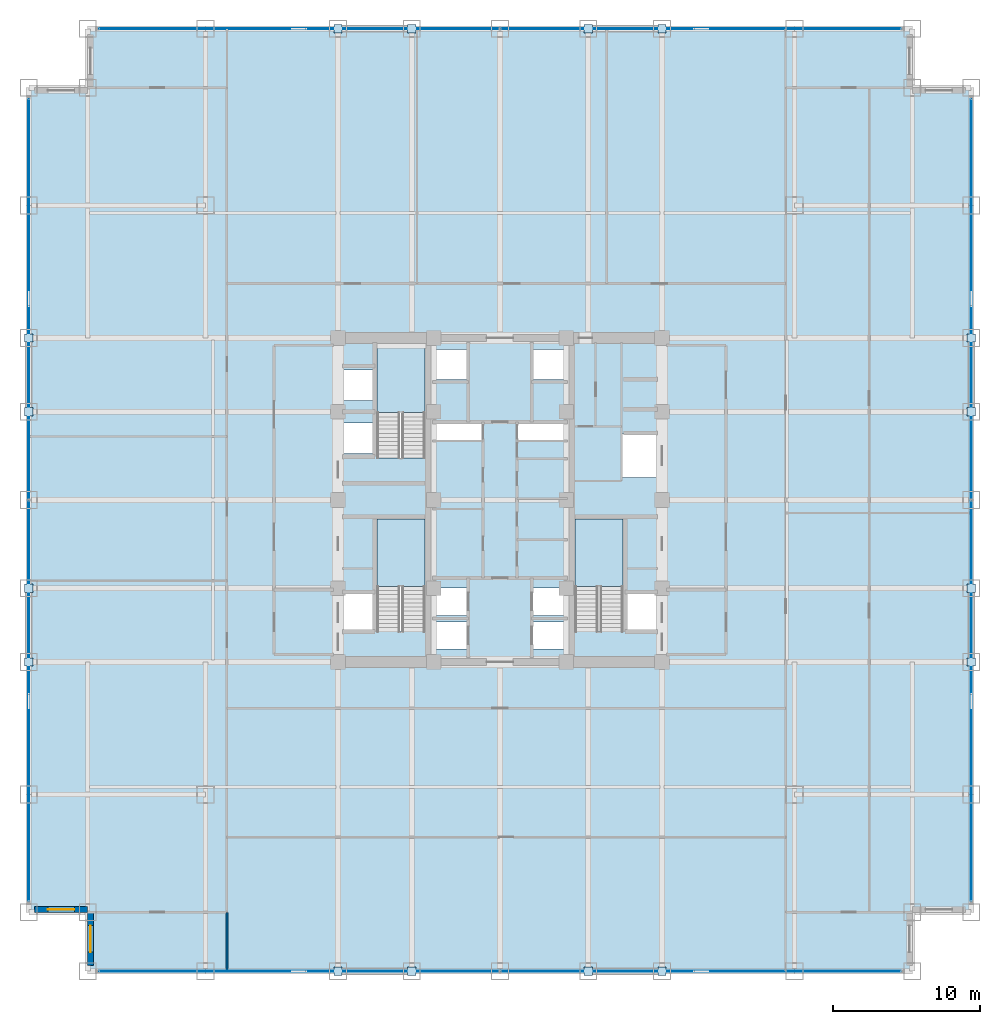
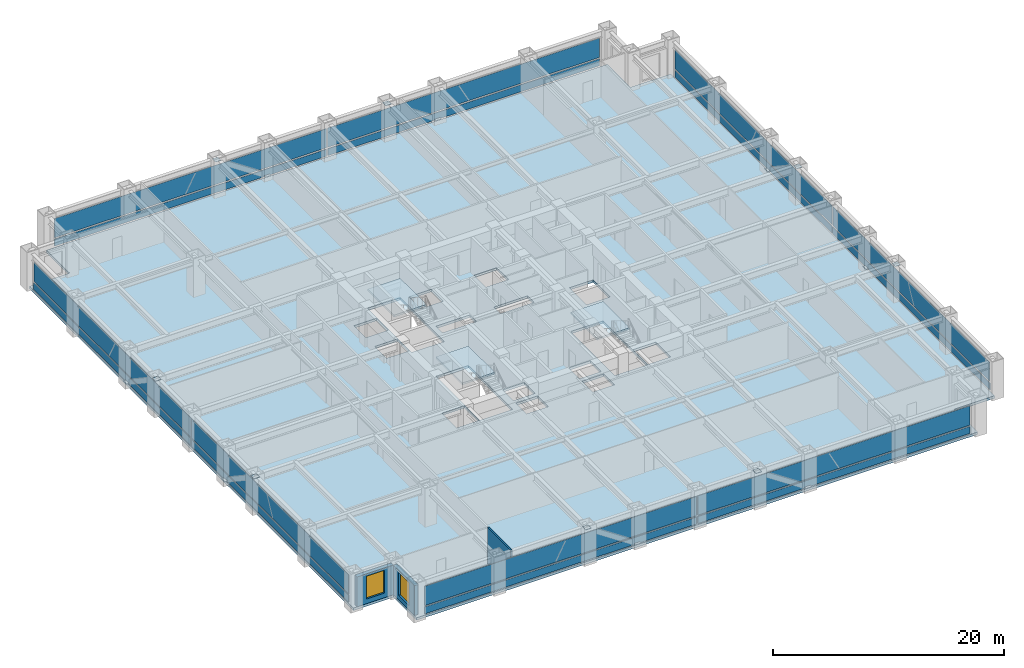
# One storey, part 22 of 28: 32 plates, 4 slabs, 3 walls, 2 windows, 2 openings, 7 elements without a shape of their own.
"""IFC4 building model written with IfcOpenShell, lengths in metres."""

from ifc_helpers import new_model, si_unit, direction, frame, frame_2d, origin, origin_2d, place, context, subcontext, project, spatial, polyline, rectangle, outline, extrude, source, transform, mapped, material, layer, layer_set, type_object, element, fill, aggregate, save


model = new_model("IFC4")

# Units and contexts
model_context = context("Model", 3, precision=1e-05, world=origin(), true_north=direction((0.0, 1.0)))
body_context = subcontext(model_context, "Body", "Model", "MODEL_VIEW")
ifc_project = project(units=[si_unit("LENGTHUNIT", "METRE"), si_unit("AREAUNIT", "SQUARE_METRE"), si_unit("VOLUMEUNIT", "CUBIC_METRE"), si_unit("PLANEANGLEUNIT", "RADIAN"), si_unit("MASSUNIT", "GRAM", prefix="KILO")], contexts=[model_context])

# Site, building, storey
site_placement = place(None, origin())
site = spatial("IfcSite", under=ifc_project, at=site_placement, CompositionType="ELEMENT")
building_placement = place(site_placement, origin())
building = spatial("IfcBuilding", under=site, at=building_placement, Name="Khorayat Bourse Tower", CompositionType="ELEMENT")
storey_placement = place(building_placement, frame((0.0, 0.0, 120.10009765625)))
storey = spatial("IfcBuildingStorey", under=building, at=storey_placement, Name="L27", CompositionType="ELEMENT", Elevation=120.10009765625)

# Stair, slab
ifc_material_1 = material(Name="Concrete C40/50", Category="concrete")
stair_type = type_object("IfcStairType", Name="STR-CORE-1550", PredefinedType="HALF_TURN_STAIR", material=ifc_material_1)
stair_1_placement = place(storey_placement, origin())
stair_1 = element("IfcStair", 1, at=stair_1_placement, inside=storey, type_object=stair_type, Name="L27 Exit Stair ST-1", PredefinedType="HALF_TURN_STAIR")
ifc_layer_1 = layer(ifc_material_1, 0.199951171875)
ifc_layer_set_1 = layer_set([ifc_layer_1], Name="Concrete C40/50")
slab_type_1 = type_object("IfcSlabType", Name="SLB-LANDING-200", PredefinedType="LANDING", material=ifc_layer_set_1)
slab_1_placement = place(storey_placement, frame((0.0, 0.0, 1.849853515625)))
slab_1 = element("IfcSlab", 2, at=slab_1_placement, type_object=slab_type_1, Name="ST-1 landing 1", PredefinedType="LANDING", context=body_context, shape_type="SweptSolid", body=[
    extrude(outline(polyline([(-5.10009765625, -5.8701171875), (-5.10009765625, -1.300048828125), (-8.35009765625, -1.300048828125), (-8.35009765625, -5.8701171875), (-5.10009765625, -5.8701171875)])), origin(), (0.0, 0.0, 1.0), 0.199951171875),
])
aggregate(stair_1, [slab_1])

stair_2_placement = place(storey_placement, origin())
stair_2 = element("IfcStair", 3, at=stair_2_placement, inside=storey, type_object=stair_type, Name="L27 Exit Stair ST-2", PredefinedType="HALF_TURN_STAIR")
slab_2_placement = place(storey_placement, frame((0.0, 0.0, 1.849853515625)))
slab_2 = element("IfcSlab", 4, at=slab_2_placement, type_object=slab_type_1, Name="ST-2 landing 1", PredefinedType="LANDING", context=body_context, shape_type="SweptSolid", body=[
    extrude(outline(polyline([(-5.10009765625, 5.929931640625), (-5.10009765625, 10.5), (-8.35009765625, 10.5), (-8.35009765625, 5.929931640625), (-5.10009765625, 5.929931640625)])), origin(), (0.0, 0.0, 1.0), 0.199951171875),
])
aggregate(stair_2, [slab_2])

stair_3_placement = place(storey_placement, origin())
stair_3 = element("IfcStair", 5, at=stair_3_placement, inside=storey, type_object=stair_type, Name="L27 Exit Stair ST-3", PredefinedType="HALF_TURN_STAIR")
slab_3_placement = place(storey_placement, frame((0.0, 0.0, 1.849853515625)))
slab_3 = element("IfcSlab", 6, at=slab_3_placement, type_object=slab_type_1, Name="ST-3 landing 1", PredefinedType="LANDING", context=body_context, shape_type="SweptSolid", body=[
    extrude(outline(polyline([(8.35009765625, -5.8701171875), (8.35009765625, -1.300048828125), (5.10009765625, -1.300048828125), (5.10009765625, -5.8701171875), (8.35009765625, -5.8701171875)])), origin(), (0.0, 0.0, 1.0), 0.199951171875),
])
aggregate(stair_3, [slab_3])

# Slab
ifc_layer_2 = layer(ifc_material_1, 0.260009765625)
ifc_layer_set_2 = layer_set([ifc_layer_2], Name="Concrete C40/50")
slab_type_2 = type_object("IfcSlabType", Name="SLB-TRADE-260", PredefinedType="FLOOR", material=ifc_layer_set_2)
slab_4_placement = place(storey_placement, frame((0.0, 0.0, -0.260009765625)))
element("IfcSlab", 7, at=slab_4_placement, inside=storey, type_object=slab_type_2, Name="L27 Main Floor Slab", PredefinedType="FLOOR", context=body_context, shape_type="SweptSolid", body=[
    extrude(outline(polyline([(-28.0, -32.0), (28.0, -32.0), (28.0, -28.0), (32.0, -28.0), (32.0, 28.0), (28.0, 28.0), (28.0, 32.0), (-28.0, 32.0), (-28.0, 28.0), (-32.0, 28.0), (-32.0, -28.0), (-28.0, -28.0), (-28.0, -32.0)]), holes=[polyline([(-8.35009765625, -8.945068359375), (-5.10009765625, -8.945068359375), (-5.10009765625, -1.300048828125), (-8.35009765625, -1.300048828125), (-8.35009765625, -8.945068359375)]), polyline([(-8.35009765625, 2.85498046875), (-5.10009765625, 2.85498046875), (-5.10009765625, 10.5), (-8.35009765625, 10.5), (-8.35009765625, 2.85498046875)]), polyline([(5.10009765625, -8.945068359375), (8.35009765625, -8.945068359375), (8.35009765625, -1.300048828125), (5.10009765625, -1.300048828125), (5.10009765625, -8.945068359375)]), polyline([(-4.3798828125, -10.1298828125), (-2.219970703125, -10.1298828125), (-2.219970703125, -8.27001953125), (-4.3798828125, -8.27001953125), (-4.3798828125, -10.1298828125)]), polyline([(2.219970703125, -10.1298828125), (4.3798828125, -10.1298828125), (4.3798828125, -8.27001953125), (2.219970703125, -8.27001953125), (2.219970703125, -10.1298828125)]), polyline([(-4.3798828125, -7.830078125), (-2.219970703125, -7.830078125), (-2.219970703125, -5.969970703125), (-4.3798828125, -5.969970703125), (-4.3798828125, -7.830078125)]), polyline([(2.219970703125, -7.830078125), (4.3798828125, -7.830078125), (4.3798828125, -5.969970703125), (2.219970703125, -5.969970703125), (2.219970703125, -7.830078125)]), polyline([(-4.3798828125, 8.169921875), (-2.1201171875, 8.169921875), (-2.1201171875, 10.22998046875), (-4.3798828125, 10.22998046875), (-4.3798828125, 8.169921875)]), polyline([(2.1201171875, 8.169921875), (4.3798828125, 8.169921875), (4.3798828125, 10.22998046875), (2.1201171875, 10.22998046875), (2.1201171875, 8.169921875)]), polyline([(-10.679931640625, 3.169921875), (-8.419921875, 3.169921875), (-8.419921875, 5.22998046875), (-10.679931640625, 5.22998046875), (-10.679931640625, 3.169921875)]), polyline([(-10.679931640625, 6.77001953125), (-8.419921875, 6.77001953125), (-8.419921875, 8.830078125), (-10.679931640625, 8.830078125), (-10.679931640625, 6.77001953125)]), polyline([(-10.679931640625, -8.929931640625), (-8.419921875, -8.929931640625), (-8.419921875, -6.3701171875), (-10.679931640625, -6.3701171875), (-10.679931640625, -8.929931640625)]), polyline([(8.419921875, -8.929931640625), (10.679931640625, -8.929931640625), (10.679931640625, -6.3701171875), (8.419921875, -6.3701171875), (8.419921875, -8.929931640625)]), polyline([(8.320068359375, 1.52001953125), (10.679931640625, 1.52001953125), (10.679931640625, 4.47998046875), (8.320068359375, 4.47998046875), (8.320068359375, 1.52001953125)]), polyline([(-4.56005859375, 4.080078125), (-1.18994140625, 4.080078125), (-1.18994140625, 5.219970703125), (-4.56005859375, 5.219970703125), (-4.56005859375, 4.080078125)]), polyline([(1.18994140625, 4.080078125), (4.56005859375, 4.080078125), (4.56005859375, 5.219970703125), (1.18994140625, 5.219970703125), (1.18994140625, 4.080078125)])]), origin(), (0.0, 0.0, 1.0), 0.260009765625),
])

# Plates
ifc_material_2 = material(Name="Steel EN 10025-2 S355J2", Category="steel")
ifc_layer_3 = layer(ifc_material_2, 0.02490234375)
ifc_layer_set_3 = layer_set([ifc_layer_3], Name="Steel EN 10025-2 S355J2")
plate_type_1 = type_object("IfcPlateType", Name="PLT-ENDCAP-25", PredefinedType="SHEET", material=ifc_layer_set_3)
shared_shape_1 = source(origin(), body_context, "Body", "SweptSolid", [
    extrude(rectangle(XDim=0.56005859375, YDim=0.56005859375, at=origin_2d()), origin(), (0.0, 0.0, 1.0), 0.02490234375),
])
for number, where, z_axis, x_axis, name in (
    (8, (-11.0, -32.0, 3.577392578125), (0.0, 0.0, 1.0), (1.0, 0.0, 0.0), "L27 Perimeter Brace End Plate 001"),
    (9, (-6.0, -32.0, 0.237548828125), (0.0, 0.0, 1.0), (1.0, 0.0, 0.0), "L27 Perimeter Brace End Plate 002"),
    (10, (6.0, -32.0, 3.577392578125), (0.0, 0.0, 1.0), (1.0, 0.0, 0.0), "L27 Perimeter Brace End Plate 003"),
    (11, (11.0, -32.0, 0.237548828125), (0.0, 0.0, 1.0), (1.0, 0.0, 0.0), "L27 Perimeter Brace End Plate 004"),
    (12, (-11.0, 32.0, 3.577392578125), (0.0, 0.0, 1.0), (1.0, 0.0, 0.0), "L27 Perimeter Brace End Plate 005"),
    (13, (-6.0, 32.0, 0.237548828125), (0.0, 0.0, 1.0), (1.0, 0.0, 0.0), "L27 Perimeter Brace End Plate 006"),
    (14, (6.0, 32.0, 3.577392578125), (0.0, 0.0, 1.0), (1.0, 0.0, 0.0), "L27 Perimeter Brace End Plate 007"),
    (15, (11.0, 32.0, 0.237548828125), (0.0, 0.0, 1.0), (1.0, 0.0, 0.0), "L27 Perimeter Brace End Plate 008"),
    (16, (-32.0, -11.0, 3.577392578125), (0.0, 0.0, 1.0), (1.0, 0.0, 0.0), "L27 Perimeter Brace End Plate 009"),
    (17, (-32.0, -6.0, 0.237548828125), (0.0, 0.0, 1.0), (1.0, 0.0, 0.0), "L27 Perimeter Brace End Plate 010"),
    (18, (-32.0, 6.0, 3.577392578125), (0.0, 0.0, 1.0), (1.0, 0.0, 0.0), "L27 Perimeter Brace End Plate 011"),
    (19, (-32.0, 11.0, 0.237548828125), (0.0, 0.0, 1.0), (1.0, 0.0, 0.0), "L27 Perimeter Brace End Plate 012"),
    (20, (32.0, -11.0, 3.577392578125), (0.0, 0.0, 1.0), (1.0, 0.0, 0.0), "L27 Perimeter Brace End Plate 013"),
    (21, (32.0, -6.0, 0.237548828125), (0.0, 0.0, 1.0), (1.0, 0.0, 0.0), "L27 Perimeter Brace End Plate 014"),
    (22, (32.0, 6.0, 3.577392578125), (0.0, 0.0, 1.0), (1.0, 0.0, 0.0), "L27 Perimeter Brace End Plate 015"),
    (23, (32.0, 11.0, 0.237548828125), (0.0, 0.0, 1.0), (1.0, 0.0, 0.0), "L27 Perimeter Brace End Plate 016"),
):
    element("IfcPlate", number, at=place(storey_placement, frame(where, z_axis=z_axis, x_axis=x_axis)), inside=storey, type_object=plate_type_1, Name=name, PredefinedType="SHEET", context=body_context, shape_type="MappedRepresentation", body=[
        mapped(shared_shape_1, transform((0.0, 0.0, 0.0), scale=1.0)),
    ])

# Curtain wall, plates
ifc_material_3 = material(Name="Aluminium EN AW-6063 T6", Category="aluminium")
curtain_wall_type = type_object("IfcCurtainWallType", Name="CW-SYS-02", PredefinedType="NOTDEFINED", material=ifc_material_3)
curtain_wall_1_placement = place(storey_placement, origin())
curtain_wall_1 = element("IfcCurtainWall", 24, at=curtain_wall_1_placement, inside=storey, type_object=curtain_wall_type, Name="L27 Curtain Wall CW-L27-S1", PredefinedType="NOTDEFINED")
ifc_material_4 = material(Name="Honed desert limestone insulated spandrel", Category="masonry")
ifc_layer_4 = layer(ifc_material_4, 0.06494140625)
ifc_layer_set_4 = layer_set([ifc_layer_4], Name="Honed desert limestone insulated spandrel")
plate_type_2 = type_object("IfcPlateType", Name="CWP-SPAND-03", PredefinedType="CURTAIN_PANEL", material=ifc_layer_set_4)
shared_shape_2 = source(origin(), body_context, "Body", "SweptSolid", [
    extrude(rectangle(XDim=27.139892578125, YDim=0.06494140625, at=origin_2d()), origin(), (0.0, 0.0, 1.0), 0.739990234375),
])
plate_1_placement = place(storey_placement, frame((-13.639892578125, -32.0, 0.14013671875), z_axis=(0.0, 0.0, 1.0), x_axis=(1.0, 0.0, 0.0)))
plate_1 = element("IfcPlate", 25, at=plate_1_placement, type_object=plate_type_2, Name="CW-L27-S1 Spandrel Panel 1-1", PredefinedType="CURTAIN_PANEL", context=body_context, shape_type="MappedRepresentation", body=[
    mapped(shared_shape_2, transform((0.0, 0.0, 0.0), scale=1.0)),
])
plate_2_placement = place(storey_placement, frame((13.639892578125, -32.0, 0.14013671875), z_axis=(0.0, 0.0, 1.0), x_axis=(1.0, 0.0, 0.0)))
plate_2 = element("IfcPlate", 26, at=plate_2_placement, type_object=plate_type_2, Name="CW-L27-S1 Spandrel Panel 2-1", PredefinedType="CURTAIN_PANEL", context=body_context, shape_type="MappedRepresentation", body=[
    mapped(shared_shape_2, transform((0.0, 0.0, 0.0), scale=1.0)),
])

curtain_wall_2_placement = place(storey_placement, origin())
curtain_wall_2 = element("IfcCurtainWall", 27, at=curtain_wall_2_placement, inside=storey, type_object=curtain_wall_type, Name="L27 Curtain Wall CW-L27-N1", PredefinedType="NOTDEFINED")
plate_3_placement = place(storey_placement, frame((-13.639892578125, 32.0, 0.14013671875), z_axis=(0.0, 0.0, 1.0), x_axis=(1.0, 0.0, 0.0)))
plate_3 = element("IfcPlate", 28, at=plate_3_placement, type_object=plate_type_2, Name="CW-L27-N1 Spandrel Panel 1-1", PredefinedType="CURTAIN_PANEL", context=body_context, shape_type="MappedRepresentation", body=[
    mapped(shared_shape_2, transform((0.0, 0.0, 0.0), scale=1.0)),
])
plate_4_placement = place(storey_placement, frame((13.639892578125, 32.0, 0.14013671875), z_axis=(0.0, 0.0, 1.0), x_axis=(1.0, 0.0, 0.0)))
plate_4 = element("IfcPlate", 29, at=plate_4_placement, type_object=plate_type_2, Name="CW-L27-N1 Spandrel Panel 2-1", PredefinedType="CURTAIN_PANEL", context=body_context, shape_type="MappedRepresentation", body=[
    mapped(shared_shape_2, transform((0.0, 0.0, 0.0), scale=1.0)),
])

curtain_wall_3_placement = place(storey_placement, origin())
curtain_wall_3 = element("IfcCurtainWall", 30, at=curtain_wall_3_placement, inside=storey, type_object=curtain_wall_type, Name="L27 Curtain Wall CW-L27-W1", PredefinedType="NOTDEFINED")
plate_5_placement = place(storey_placement, frame((-32.0, -13.639892578125, 0.14013671875), z_axis=(0.0, 0.0, 1.0), x_axis=(0.0, 1.0, 0.0)))
plate_5 = element("IfcPlate", 31, at=plate_5_placement, type_object=plate_type_2, Name="CW-L27-W1 Spandrel Panel 1-1", PredefinedType="CURTAIN_PANEL", context=body_context, shape_type="MappedRepresentation", body=[
    mapped(shared_shape_2, transform((0.0, 0.0, 0.0), scale=1.0)),
])
plate_6_placement = place(storey_placement, frame((-32.0, 13.639892578125, 0.14013671875), z_axis=(0.0, 0.0, 1.0), x_axis=(0.0, 1.0, 0.0)))
plate_6 = element("IfcPlate", 32, at=plate_6_placement, type_object=plate_type_2, Name="CW-L27-W1 Spandrel Panel 2-1", PredefinedType="CURTAIN_PANEL", context=body_context, shape_type="MappedRepresentation", body=[
    mapped(shared_shape_2, transform((0.0, 0.0, 0.0), scale=1.0)),
])

curtain_wall_4_placement = place(storey_placement, origin())
curtain_wall_4 = element("IfcCurtainWall", 33, at=curtain_wall_4_placement, inside=storey, type_object=curtain_wall_type, Name="L27 Curtain Wall CW-L27-E1", PredefinedType="NOTDEFINED")
plate_7_placement = place(storey_placement, frame((32.0, -13.639892578125, 0.14013671875), z_axis=(0.0, 0.0, 1.0), x_axis=(0.0, 1.0, 0.0)))
plate_7 = element("IfcPlate", 34, at=plate_7_placement, type_object=plate_type_2, Name="CW-L27-E1 Spandrel Panel 1-1", PredefinedType="CURTAIN_PANEL", context=body_context, shape_type="MappedRepresentation", body=[
    mapped(shared_shape_2, transform((0.0, 0.0, 0.0), scale=1.0)),
])
plate_8_placement = place(storey_placement, frame((32.0, 13.639892578125, 0.14013671875), z_axis=(0.0, 0.0, 1.0), x_axis=(0.0, 1.0, 0.0)))
plate_8 = element("IfcPlate", 35, at=plate_8_placement, type_object=plate_type_2, Name="CW-L27-E1 Spandrel Panel 2-1", PredefinedType="CURTAIN_PANEL", context=body_context, shape_type="MappedRepresentation", body=[
    mapped(shared_shape_2, transform((0.0, 0.0, 0.0), scale=1.0)),
])

# Plate
ifc_material_5 = material(Name="Low-E solar-control laminated double glazing", Category="glass")
ifc_layer_5 = layer(ifc_material_5, 0.0419921875)
ifc_layer_set_5 = layer_set([ifc_layer_5], Name="Low-E solar-control laminated double glazing")
plate_type_3 = type_object("IfcPlateType", Name="CWP-FACET-02", PredefinedType="CURTAIN_PANEL", material=ifc_layer_set_5)
shared_shape_3 = source(origin(), body_context, "Body", "SweptSolid", [
    extrude(rectangle(XDim=27.139892578125, YDim=0.0419921875, at=origin_2d()), origin(), (0.0, 0.0, 1.0), 2.030029296875),
])
plate_9_placement = place(storey_placement, frame((-13.639892578125, -32.0, 1.02001953125), z_axis=(0.0, 0.0, 1.0), x_axis=(1.0, 0.0, 0.0)))
plate_9 = element("IfcPlate", 36, at=plate_9_placement, type_object=plate_type_3, Name="CW-L27-S1 Vision Panel 1-2", PredefinedType="CURTAIN_PANEL", context=body_context, shape_type="MappedRepresentation", body=[
    mapped(shared_shape_3, transform((0.0, 0.0, 0.0), scale=1.0)),
])

plate_10_placement = place(storey_placement, frame((13.639892578125, -32.0, 1.02001953125), z_axis=(0.0, 0.0, 1.0), x_axis=(1.0, 0.0, 0.0)))
plate_10 = element("IfcPlate", 37, at=plate_10_placement, type_object=plate_type_3, Name="CW-L27-S1 Vision Panel 2-2", PredefinedType="CURTAIN_PANEL", context=body_context, shape_type="MappedRepresentation", body=[
    mapped(shared_shape_3, transform((0.0, 0.0, 0.0), scale=1.0)),
])

aggregate(curtain_wall_1, [plate_1, plate_9, plate_2, plate_10])

plate_11_placement = place(storey_placement, frame((-13.639892578125, 32.0, 1.02001953125), z_axis=(0.0, 0.0, 1.0), x_axis=(1.0, 0.0, 0.0)))
plate_11 = element("IfcPlate", 38, at=plate_11_placement, type_object=plate_type_3, Name="CW-L27-N1 Vision Panel 1-2", PredefinedType="CURTAIN_PANEL", context=body_context, shape_type="MappedRepresentation", body=[
    mapped(shared_shape_3, transform((0.0, 0.0, 0.0), scale=1.0)),
])

plate_12_placement = place(storey_placement, frame((13.639892578125, 32.0, 1.02001953125), z_axis=(0.0, 0.0, 1.0), x_axis=(1.0, 0.0, 0.0)))
plate_12 = element("IfcPlate", 39, at=plate_12_placement, type_object=plate_type_3, Name="CW-L27-N1 Vision Panel 2-2", PredefinedType="CURTAIN_PANEL", context=body_context, shape_type="MappedRepresentation", body=[
    mapped(shared_shape_3, transform((0.0, 0.0, 0.0), scale=1.0)),
])

aggregate(curtain_wall_2, [plate_3, plate_11, plate_4, plate_12])

plate_13_placement = place(storey_placement, frame((-32.0, -13.639892578125, 1.02001953125), z_axis=(0.0, 0.0, 1.0), x_axis=(0.0, 1.0, 0.0)))
plate_13 = element("IfcPlate", 40, at=plate_13_placement, type_object=plate_type_3, Name="CW-L27-W1 Vision Panel 1-2", PredefinedType="CURTAIN_PANEL", context=body_context, shape_type="MappedRepresentation", body=[
    mapped(shared_shape_3, transform((0.0, 0.0, 0.0), scale=1.0)),
])

plate_14_placement = place(storey_placement, frame((-32.0, 13.639892578125, 1.02001953125), z_axis=(0.0, 0.0, 1.0), x_axis=(0.0, 1.0, 0.0)))
plate_14 = element("IfcPlate", 41, at=plate_14_placement, type_object=plate_type_3, Name="CW-L27-W1 Vision Panel 2-2", PredefinedType="CURTAIN_PANEL", context=body_context, shape_type="MappedRepresentation", body=[
    mapped(shared_shape_3, transform((0.0, 0.0, 0.0), scale=1.0)),
])

aggregate(curtain_wall_3, [plate_5, plate_13, plate_6, plate_14])

plate_15_placement = place(storey_placement, frame((32.0, -13.639892578125, 1.02001953125), z_axis=(0.0, 0.0, 1.0), x_axis=(0.0, 1.0, 0.0)))
plate_15 = element("IfcPlate", 42, at=plate_15_placement, type_object=plate_type_3, Name="CW-L27-E1 Vision Panel 1-2", PredefinedType="CURTAIN_PANEL", context=body_context, shape_type="MappedRepresentation", body=[
    mapped(shared_shape_3, transform((0.0, 0.0, 0.0), scale=1.0)),
])

plate_16_placement = place(storey_placement, frame((32.0, 13.639892578125, 1.02001953125), z_axis=(0.0, 0.0, 1.0), x_axis=(0.0, 1.0, 0.0)))
plate_16 = element("IfcPlate", 43, at=plate_16_placement, type_object=plate_type_3, Name="CW-L27-E1 Vision Panel 2-2", PredefinedType="CURTAIN_PANEL", context=body_context, shape_type="MappedRepresentation", body=[
    mapped(shared_shape_3, transform((0.0, 0.0, 0.0), scale=1.0)),
])

aggregate(curtain_wall_4, [plate_7, plate_15, plate_8, plate_16])

# Wall, opening, window
ifc_material_6 = material(Name="Precast concrete C45/55", Category="concrete")
ifc_layer_6 = layer(ifc_material_6, 0.3798828125)
ifc_layer_set_6 = layer_set([ifc_layer_6], Name="Precast concrete C45/55")
wall_type_1 = type_object("IfcWallType", Name="WAL-EXT-STONE-380", PredefinedType="STANDARD", material=ifc_layer_set_6)
shared_shape_4 = source(origin(), body_context, "Body", "SweptSolid", [
    extrude(rectangle(XDim=3.6201171875, YDim=0.3798828125, at=frame_2d((1.81005859375, 0.0))), origin(), (0.0, 0.0, 1.0), 3.14501953125),
])
wall_1_placement = place(storey_placement, frame((-28.0, -27.81005859375, 0.0), z_axis=(0.0, 0.0, 1.0), x_axis=(-1.0, 0.0, 0.0)))
wall_1 = element("IfcWall", 44, at=wall_1_placement, inside=storey, type_object=wall_type_1, Name="L27 Re-Entrant Notch Limestone Wall SW-H", PredefinedType="STANDARD", context=body_context, shape_type="MappedRepresentation", body=[
    mapped(shared_shape_4, transform((0.0, 0.0, 0.0), scale=1.0)),
])
shared_shape_5 = source(origin(), body_context, "Body", "SweptSolid", [
    extrude(rectangle(XDim=1.800048828125, YDim=2.39990234375, at=frame_2d((0.89990234375, 1.199951171875))), frame((0.0, 0.199951171875, 0.0), z_axis=(0.0, -1.0, 0.0), x_axis=(1.0, 0.0, 0.0)), (0.0, 0.0, 1.0), 0.39990234375),
])
opening_1_placement = place(wall_1_placement, frame((0.909912109375, 0.0, 0.5)))
opening_1 = element("IfcOpeningElement", 45, at=opening_1_placement, cuts=wall_1, Name="Opening WN-04", PredefinedType="OPENING", context=body_context, shape_type="MappedRepresentation", body=[
    mapped(shared_shape_5, transform((0.0, 0.0, 0.0), scale=1.0)),
])
ifc_material_7 = material(Name="Low-E acoustic laminated double glazing", Category="glass")
window_type = type_object("IfcWindowType", Name="WIN-NOTCH-1800x2400", PartitioningType="SINGLE_PANEL", PredefinedType="WINDOW", material=ifc_material_7)
shared_shape_6 = source(origin(), body_context, "Body", "SweptSolid", [
    extrude(rectangle(XDim=1.800048828125, YDim=2.39990234375, at=frame_2d((0.89990234375, 1.199951171875))), frame((0.0, 0.030029296875, 0.0), z_axis=(0.0, -1.0, 0.0), x_axis=(1.0, 0.0, 0.0)), (0.0, 0.0, 1.0), 0.06005859375),
])
window_1_placement = place(opening_1_placement, origin())
window_1 = element("IfcWindow", 46, at=window_1_placement, inside=storey, type_object=window_type, Name="L27 Facade Window 1", OverallHeight=2.39990234375, OverallWidth=1.800048828125, PartitioningType="SINGLE_PANEL", PredefinedType="WINDOW", context=body_context, shape_type="MappedRepresentation", body=[
    mapped(shared_shape_6, transform((0.0, 0.0, 0.0), scale=1.0)),
])
fill(opening_1, window_1)

wall_2_placement = place(storey_placement, frame((-27.81005859375, -31.6201171875, 0.0), z_axis=(0.0, 0.0, 1.0), x_axis=(0.0, 1.0, 0.0)))
wall_2 = element("IfcWall", 47, at=wall_2_placement, inside=storey, type_object=wall_type_1, Name="L27 Re-Entrant Notch Limestone Wall SW-V", PredefinedType="STANDARD", context=body_context, shape_type="MappedRepresentation", body=[
    mapped(shared_shape_4, transform((0.0, 0.0, 0.0), scale=1.0)),
])
opening_2_placement = place(wall_2_placement, frame((0.909912109375, 0.0, 0.5)))
opening_2 = element("IfcOpeningElement", 48, at=opening_2_placement, cuts=wall_2, Name="Opening WN-04", PredefinedType="OPENING", context=body_context, shape_type="MappedRepresentation", body=[
    mapped(shared_shape_5, transform((0.0, 0.0, 0.0), scale=1.0)),
])
window_2_placement = place(opening_2_placement, origin())
window_2 = element("IfcWindow", 49, at=window_2_placement, inside=storey, type_object=window_type, Name="L27 Facade Window 1", OverallHeight=2.39990234375, OverallWidth=1.800048828125, PartitioningType="SINGLE_PANEL", PredefinedType="WINDOW", context=body_context, shape_type="MappedRepresentation", body=[
    mapped(shared_shape_6, transform((0.0, 0.0, 0.0), scale=1.0)),
])
fill(opening_2, window_2)

# Wall
ifc_material_8 = material(Name="Gypsum plasterboard twin-frame partition")
ifc_layer_7 = layer(ifc_material_8, 0.14990234375)
ifc_layer_set_7 = layer_set([ifc_layer_7], Name="Gypsum plasterboard twin-frame partition")
wall_type_2 = type_object("IfcWallType", Name="WAL-PART-SUITE-150", PredefinedType="PARTITIONING", material=ifc_layer_set_7)
shared_shape_7 = source(origin(), body_context, "Body", "SweptSolid", [
    extrude(rectangle(XDim=4.0, YDim=0.14990234375, at=frame_2d((2.0, 0.0))), origin(), (0.0, 0.0, 1.0), 3.83984375),
])
wall_3_placement = place(storey_placement, frame((-18.550048828125, -32.0, 0.0), z_axis=(0.0, 0.0, 1.0), x_axis=(0.0, 1.0, 0.0)))
element("IfcWall", 50, at=wall_3_placement, inside=storey, type_object=wall_type_2, Name="L27 Partition WAL-L27-SCW-END", PredefinedType="PARTITIONING", context=body_context, shape_type="MappedRepresentation", body=[
    mapped(shared_shape_7, transform((0.0, 0.0, 0.0), scale=1.0)),
])

save(model, "model.ifc")
